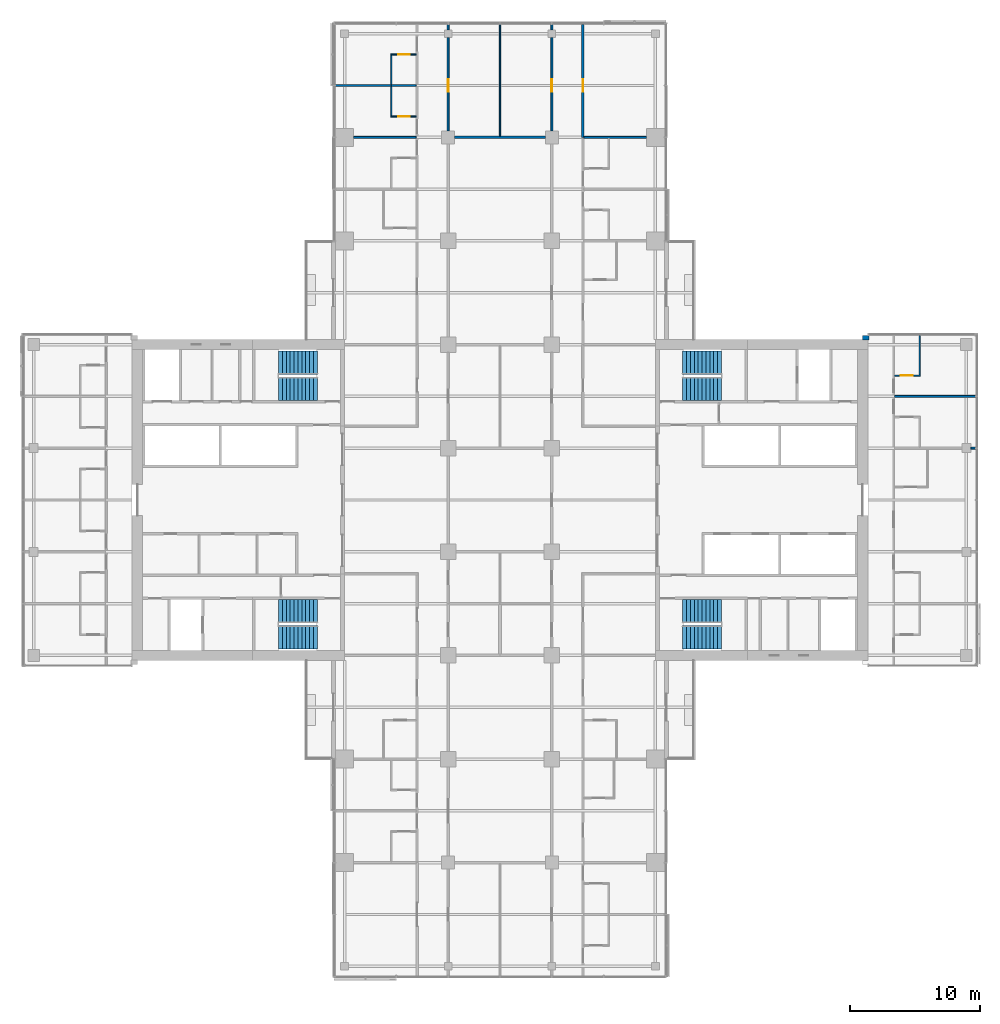
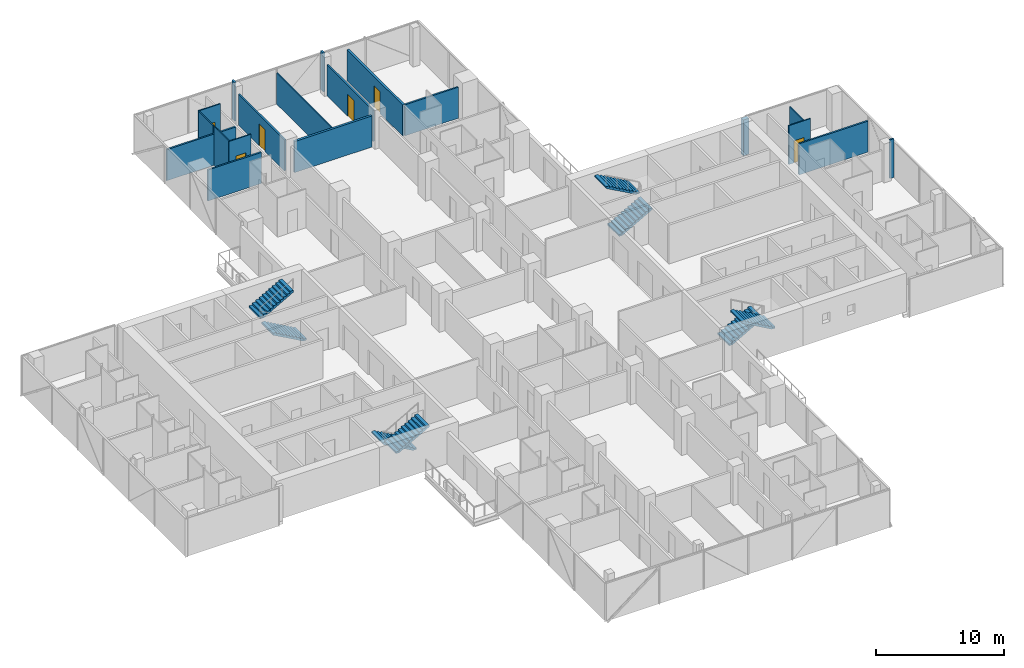
# One storey, part 22 of 27: 19 walls, 8 stair flights, 6 doors, 6 openings, 4 elements without a shape of their own.
"""IFC4 building model written with IfcOpenShell, lengths in metres."""

from ifc_helpers import new_model, si_unit, direction, frame, frame_2d, origin, place, context, subcontext, project, spatial, polyline, rectangle, outline, extrude, material, layer, layer_set, type_object, element, fill, aggregate, save


model = new_model("IFC4")

# Units and contexts
model_context = context("Model", 3, precision=1e-05, world=origin(), true_north=direction((0.0, 1.0)))
body_context = subcontext(model_context, "Body", "Model", "MODEL_VIEW")
ifc_project = project(units=[si_unit("LENGTHUNIT", "METRE"), si_unit("AREAUNIT", "SQUARE_METRE"), si_unit("VOLUMEUNIT", "CUBIC_METRE"), si_unit("PLANEANGLEUNIT", "RADIAN"), si_unit("MASSUNIT", "GRAM", prefix="KILO")], contexts=[model_context])

# Site, building, storey
site_placement = place(None, origin())
site = spatial("IfcSite", under=ifc_project, at=site_placement, CompositionType="ELEMENT")
building_placement = place(site_placement, origin())
building = spatial("IfcBuilding", under=site, at=building_placement, Name="Crosswind Convention Tower", CompositionType="ELEMENT")
storey_placement = place(building_placement, frame((0.0, 0.0, 64.60009765625)))
storey = spatial("IfcBuildingStorey", under=building, at=storey_placement, Name="L10", CompositionType="ELEMENT", Elevation=64.60009765625)

# Wall, opening, door
ifc_material_1 = material(Name="Plasterboard partition", Category="gypsum")
ifc_layer_1 = layer(ifc_material_1, 0.14990234375)
ifc_layer_set_1 = layer_set([ifc_layer_1], Name="CORRIDOR WALL 150")
wall_type_1 = type_object("IfcWallType", Name="CORRIDOR WALL 150", PredefinedType="PARTITIONING", material=ifc_layer_set_1)
wall_1_placement = place(storey_placement, frame((121.0, 128.5, 0.0), z_axis=(0.0, 0.0, 1.0), x_axis=(0.0, 1.0, 0.0)))
wall_1 = element("IfcWall", 1, at=wall_1_placement, inside=storey, type_object=wall_type_1, Name="Corridor Wall 97", PredefinedType="PARTITIONING", context=body_context, shape_type="SweptSolid", body=[
    extrude(rectangle(XDim=7.199951171875, YDim=0.14990234375, at=frame_2d((3.60009765625, 0.0))), origin(), (0.0, 0.0, 1.0), 2.959716796875),
])
opening_1_placement = place(wall_1_placement, frame((3.0, 0.0, 0.0)))
opening_1 = element("IfcOpeningElement", 2, at=opening_1_placement, cuts=wall_1, Name="Opening 10.068", PredefinedType="OPENING", context=body_context, shape_type="SweptSolid", body=[
    extrude(rectangle(XDim=1.0, YDim=2.10009765625, at=frame_2d((0.5, 1.050048828125))), frame((0.0, 0.0849609375, 0.0), z_axis=(0.0, -1.0, 0.0), x_axis=(1.0, 0.0, 0.0)), (0.0, 0.0, 1.0), 0.169921875),
])
ifc_material_2 = material(Name="Timber fire door", Category="wood")
door_type_1 = type_object("IfcDoorType", Name="SERVICE ROOM DOOR 1000X2100", OperationType="NOTDEFINED", PredefinedType="DOOR", material=ifc_material_2)
door_1_placement = place(opening_1_placement, frame((1.0, 0.0, 0.0), z_axis=(0.0, 0.0, 1.0), x_axis=(-1.0, 0.0, 0.0)))
door_1 = element("IfcDoor", 3, at=door_1_placement, inside=storey, type_object=door_type_1, Name="Door 10.068", ObjectType="D3", OperationType="SINGLE_SWING_RIGHT", OverallHeight=2.10009765625, OverallWidth=1.0, PredefinedType="DOOR", context=body_context, shape_type="SweptSolid", body=[
    extrude(rectangle(XDim=1.0, YDim=2.10009765625, at=frame_2d((0.5, 1.050048828125))), frame((0.0, 0.02490234375, 0.0), z_axis=(0.0, -1.0, 0.0), x_axis=(1.0, 0.0, 0.0)), (0.0, 0.0, 1.0), 0.050048828125),
])
fill(opening_1, door_1)

# Wall
wall_2_placement = place(storey_placement, frame((121.0, 136.300048828125, 0.0), z_axis=(0.0, 0.0, 1.0), x_axis=(0.0, 1.0, 0.0)))
element("IfcWall", 4, at=wall_2_placement, inside=storey, type_object=wall_type_1, Name="Corridor Wall 98", PredefinedType="PARTITIONING", context=body_context, shape_type="SweptSolid", body=[
    extrude(rectangle(XDim=0.39990234375, YDim=0.14990234375, at=frame_2d((0.199951171875, 0.0))), origin(), (0.0, 0.0, 1.0), 3.699951171875),
])

# Wall, opening, door
wall_3_placement = place(storey_placement, frame((129.0, 128.5, 0.0), z_axis=(0.0, 0.0, 1.0), x_axis=(0.0, 1.0, 0.0)))
wall_3 = element("IfcWall", 5, at=wall_3_placement, inside=storey, type_object=wall_type_1, Name="Corridor Wall 113", PredefinedType="PARTITIONING", context=body_context, shape_type="SweptSolid", body=[
    extrude(rectangle(XDim=7.199951171875, YDim=0.14990234375, at=frame_2d((3.60009765625, 0.0))), origin(), (0.0, 0.0, 1.0), 2.959716796875),
])
opening_2_placement = place(wall_3_placement, frame((3.0, 0.0, 0.0)))
opening_2 = element("IfcOpeningElement", 6, at=opening_2_placement, cuts=wall_3, Name="Opening 10.069", PredefinedType="OPENING", context=body_context, shape_type="SweptSolid", body=[
    extrude(rectangle(XDim=1.0, YDim=2.10009765625, at=frame_2d((0.5, 1.050048828125))), frame((0.0, 0.0849609375, 0.0), z_axis=(0.0, -1.0, 0.0), x_axis=(1.0, 0.0, 0.0)), (0.0, 0.0, 1.0), 0.169921875),
])
door_2_placement = place(opening_2_placement, origin())
door_2 = element("IfcDoor", 7, at=door_2_placement, inside=storey, type_object=door_type_1, Name="Door 10.069", ObjectType="D3", OperationType="SINGLE_SWING_LEFT", OverallHeight=2.10009765625, OverallWidth=1.0, PredefinedType="DOOR", context=body_context, shape_type="SweptSolid", body=[
    extrude(rectangle(XDim=1.0, YDim=2.10009765625, at=frame_2d((0.5, 1.050048828125))), frame((0.0, 0.02490234375, 0.0), z_axis=(0.0, -1.0, 0.0), x_axis=(1.0, 0.0, 0.0)), (0.0, 0.0, 1.0), 0.050048828125),
])
fill(opening_2, door_2)

# Walls
wall_4_placement = place(storey_placement, frame((129.0, 136.300048828125, 0.0), z_axis=(0.0, 0.0, 1.0), x_axis=(0.0, 1.0, 0.0)))
element("IfcWall", 8, at=wall_4_placement, inside=storey, type_object=wall_type_1, Name="Corridor Wall 114", PredefinedType="PARTITIONING", context=body_context, shape_type="SweptSolid", body=[
    extrude(rectangle(XDim=0.39990234375, YDim=0.14990234375, at=frame_2d((0.199951171875, 0.0))), origin(), (0.0, 0.0, 1.0), 3.699951171875),
])
ifc_material_3 = material(Name="Acoustic plasterboard partition", Category="gypsum")
ifc_layer_2 = layer(ifc_material_3, 0.14990234375)
ifc_layer_set_2 = layer_set([ifc_layer_2], Name="GUEST ROOM WALL 150")
wall_type_2 = type_object("IfcWallType", Name="GUEST ROOM WALL 150", PredefinedType="PARTITIONING", material=ifc_layer_set_2)
wall_5_placement = place(storey_placement, frame((161.35009765625, 104.0, 0.0), z_axis=(0.0, 0.0, 1.0), x_axis=(1.0, 0.0, 0.0)))
element("IfcWall", 9, at=wall_5_placement, inside=storey, type_object=wall_type_2, Name="Guest Room Wall 42", PredefinedType="PARTITIONING", context=body_context, shape_type="SweptSolid", body=[
    extrude(rectangle(XDim=0.349853515625, YDim=0.14990234375, at=frame_2d((0.1748046875, 0.0))), origin(), (0.0, 0.0, 1.0), 3.699951171875),
])
wall_6_placement = place(storey_placement, frame((155.47509765625, 108.0, 0.0), z_axis=(0.0, 0.0, 1.0), x_axis=(1.0, 0.0, 0.0)))
element("IfcWall", 10, at=wall_6_placement, inside=storey, type_object=wall_type_2, Name="Guest Room Wall 48", PredefinedType="PARTITIONING", context=body_context, shape_type="SweptSolid", body=[
    extrude(rectangle(XDim=6.224853515625, YDim=0.14990234375, at=frame_2d((3.1123046875, 0.0))), origin(), (0.0, 0.0, 1.0), 2.962646484375),
])
for number, where, z_axis, x_axis, name in (
    (11, (113.699951171875, 128.0, 0.0), (0.0, 0.0, 1.0), (1.0, 0.0, 0.0), "Guest Room Wall 62"),
    (12, (131.47509765625, 128.0, 0.0), (0.0, 0.0, 1.0), (1.0, 0.0, 0.0), "Guest Room Wall 64"),
):
    element("IfcWall", number, at=place(storey_placement, frame(where, z_axis=z_axis, x_axis=x_axis)), inside=storey, type_object=wall_type_2, Name=name, PredefinedType="PARTITIONING", context=body_context, shape_type="SweptSolid", body=[
        extrude(rectangle(XDim=4.824951171875, YDim=0.14990234375, at=frame_2d((2.41259765625, 0.0))), origin(), (0.0, 0.0, 1.0), 2.959716796875),
    ])
wall_7_placement = place(storey_placement, frame((112.300048828125, 132.0, 0.0), z_axis=(0.0, 0.0, 1.0), x_axis=(1.0, 0.0, 0.0)))
element("IfcWall", 13, at=wall_7_placement, inside=storey, type_object=wall_type_2, Name="Guest Room Wall 66", PredefinedType="PARTITIONING", context=body_context, shape_type="SweptSolid", body=[
    extrude(rectangle(XDim=6.224853515625, YDim=0.14990234375, at=frame_2d((3.1123046875, 0.0))), origin(), (0.0, 0.0, 1.0), 2.962646484375),
])
ifc_material_4 = material(Name="Double plasterboard partition", Category="gypsum")
ifc_layer_3 = layer(ifc_material_4, 0.199951171875)
ifc_layer_set_3 = layer_set([ifc_layer_3], Name="HALL WALL 200")
wall_type_3 = type_object("IfcWallType", Name="HALL WALL 200", PredefinedType="PARTITIONING", material=ifc_layer_set_3)
wall_8_placement = place(storey_placement, frame((121.5, 128.0, 0.0), z_axis=(0.0, 0.0, 1.0), x_axis=(1.0, 0.0, 0.0)))
element("IfcWall", 14, at=wall_8_placement, inside=storey, type_object=wall_type_3, Name="Hall Wall 63", PredefinedType="PARTITIONING", context=body_context, shape_type="SweptSolid", body=[
    extrude(rectangle(XDim=7.0, YDim=0.199951171875, at=frame_2d((3.5, 0.0))), origin(), (0.0, 0.0, 1.0), 2.959716796875),
])

# Wall, opening, door
wall_9_placement = place(storey_placement, frame((131.39990234375, 128.0, 0.0), z_axis=(0.0, 0.0, 1.0), x_axis=(0.0, 1.0, 0.0)))
wall_9 = element("IfcWall", 15, at=wall_9_placement, inside=storey, type_object=wall_type_3, Name="Hall Wall 119", PredefinedType="PARTITIONING", context=body_context, shape_type="SweptSolid", body=[
    extrude(rectangle(XDim=8.699951171875, YDim=0.199951171875, at=frame_2d((4.35009765625, 0.0))), origin(), (0.0, 0.0, 1.0), 2.959716796875),
])
opening_3_placement = place(wall_9_placement, frame((3.5, 0.0, 0.0)))
opening_3 = element("IfcOpeningElement", 16, at=opening_3_placement, cuts=wall_9, Name="Opening 10.011", PredefinedType="OPENING", context=body_context, shape_type="SweptSolid", body=[
    extrude(rectangle(XDim=1.0, YDim=2.10009765625, at=frame_2d((0.5, 1.050048828125))), frame((0.0, 0.10986328125, 0.0), z_axis=(0.0, -1.0, 0.0), x_axis=(1.0, 0.0, 0.0)), (0.0, 0.0, 1.0), 0.219970703125),
])
door_type_2 = type_object("IfcDoorType", Name="MEETING ROOM DOOR 1000X2100", OperationType="NOTDEFINED", PredefinedType="DOOR", material=ifc_material_2)
door_3_placement = place(opening_3_placement, origin())
door_3 = element("IfcDoor", 17, at=door_3_placement, inside=storey, type_object=door_type_2, Name="Door 10.011", ObjectType="D13", OperationType="SINGLE_SWING_RIGHT", OverallHeight=2.10009765625, OverallWidth=1.0, PredefinedType="DOOR", context=body_context, shape_type="SweptSolid", body=[
    extrude(rectangle(XDim=1.0, YDim=2.10009765625, at=frame_2d((0.5, 1.050048828125))), frame((0.0, 0.02490234375, 0.0), z_axis=(0.0, -1.0, 0.0), x_axis=(1.0, 0.0, 0.0)), (0.0, 0.0, 1.0), 0.050048828125),
])
fill(opening_3, door_3)

# Walls
ifc_layer_4 = layer(ifc_material_1, 0.10009765625)
ifc_layer_set_4 = layer_set([ifc_layer_4], Name="PARTITION 100")
wall_type_4 = type_object("IfcWallType", Name="PARTITION 100", PredefinedType="PARTITIONING", material=ifc_layer_set_4)
wall_10_placement = place(storey_placement, frame((125.0, 128.10009765625, 0.0), z_axis=(0.0, 0.0, 1.0), x_axis=(0.0, 1.0, 0.0)))
element("IfcWall", 18, at=wall_10_placement, inside=storey, type_object=wall_type_4, Name="Partition 103", PredefinedType="PARTITIONING", context=body_context, shape_type="SweptSolid", body=[
    extrude(rectangle(XDim=8.599853515625, YDim=0.10009765625, at=frame_2d((4.2998046875, 0.0))), origin(), (0.0, 0.0, 1.0), 2.962646484375),
])
ifc_material_5 = material(Name="Terracotta rainscreen", Category="ceramic")
ifc_layer_5 = layer(ifc_material_5, 0.02001953125)
ifc_material_6 = material(Name="Mineral wool insulation", Category="insulation")
ifc_layer_6 = layer(ifc_material_6, 0.10009765625)
ifc_material_7 = material(Name="Concrete blockwork", Category="masonry")
ifc_layer_7 = layer(ifc_material_7, 0.236083984375)
ifc_layer_set_5 = layer_set([ifc_layer_5, ifc_layer_6, ifc_layer_7], Name="TERRACOTTA CORNER INFILL WALL 356")
wall_type_5 = type_object("IfcWallType", Name="TERRACOTTA CORNER INFILL WALL 356", PredefinedType="SOLIDWALL", material=ifc_layer_set_5)
wall_11_placement = place(storey_placement, frame((153.0, 112.52197265625, 0.0), z_axis=(0.0, 0.0, 1.0), x_axis=(1.0, 0.0, 0.0)))
element("IfcWall", 19, at=wall_11_placement, inside=storey, type_object=wall_type_5, Name="Core corner infill wall L10 1", PredefinedType="SOLIDWALL", context=body_context, shape_type="SweptSolid", body=[
    extrude(rectangle(XDim=0.5048828125, YDim=0.35595703125, at=frame_2d((0.25244140625, 0.0))), origin(), (0.0, 0.0, 1.0), 3.419921875),
])

# Wall, opening, door
ifc_material_8 = material(Name="Water-resistant plasterboard partition", Category="gypsum")
ifc_layer_8 = layer(ifc_material_8, 0.10009765625)
ifc_layer_set_6 = layer_set([ifc_layer_8], Name="WET ROOM PARTITION 100")
wall_type_6 = type_object("IfcWallType", Name="WET ROOM PARTITION 100", PredefinedType="PLUMBINGWALL", material=ifc_layer_set_6)
wall_12_placement = place(storey_placement, frame((155.47509765625, 109.60009765625, 0.0), z_axis=(0.0, 0.0, 1.0), x_axis=(1.0, 0.0, 0.0)))
wall_12 = element("IfcWall", 20, at=wall_12_placement, inside=storey, type_object=wall_type_6, Name="Wet Room Partition 49", PredefinedType="PLUMBINGWALL", context=body_context, shape_type="SweptSolid", body=[
    extrude(rectangle(XDim=1.974853515625, YDim=0.10009765625, at=frame_2d((0.9873046875, 0.0))), origin(), (0.0, 0.0, 1.0), 3.699951171875),
])
opening_4_placement = place(wall_12_placement, frame((0.47509765625, 0.0, 0.0)))
opening_4 = element("IfcOpeningElement", 21, at=opening_4_placement, cuts=wall_12, Name="Opening 10.044", PredefinedType="OPENING", context=body_context, shape_type="SweptSolid", body=[
    extrude(rectangle(XDim=0.89990234375, YDim=2.10009765625, at=frame_2d((0.449951171875, 1.050048828125))), frame((0.0, 0.06005859375, 0.0), z_axis=(0.0, -1.0, 0.0), x_axis=(1.0, 0.0, 0.0)), (0.0, 0.0, 1.0), 0.1201171875),
])
ifc_material_9 = material(Name="Timber door", Category="wood")
door_type_3 = type_object("IfcDoorType", Name="EN-SUITE DOOR 900X2100", OperationType="NOTDEFINED", PredefinedType="DOOR", material=ifc_material_9)
door_4_placement = place(opening_4_placement, origin())
door_4 = element("IfcDoor", 22, at=door_4_placement, inside=storey, type_object=door_type_3, Name="Door 10.044", ObjectType="D2", OperationType="SINGLE_SWING_RIGHT", OverallHeight=2.10009765625, OverallWidth=0.89990234375, PredefinedType="DOOR", context=body_context, shape_type="SweptSolid", body=[
    extrude(rectangle(XDim=0.89990234375, YDim=2.10009765625, at=frame_2d((0.449951171875, 1.050048828125))), frame((0.0, 0.02490234375, 0.0), z_axis=(0.0, -1.0, 0.0), x_axis=(1.0, 0.0, 0.0)), (0.0, 0.0, 1.0), 0.050048828125),
])
fill(opening_4, door_4)

wall_13_placement = place(storey_placement, frame((116.550048828125, 129.60009765625, 0.0), z_axis=(0.0, 0.0, 1.0), x_axis=(1.0, 0.0, 0.0)))
wall_13 = element("IfcWall", 23, at=wall_13_placement, inside=storey, type_object=wall_type_6, Name="Wet Room Partition 65", PredefinedType="PLUMBINGWALL", context=body_context, shape_type="SweptSolid", body=[
    extrude(rectangle(XDim=1.974853515625, YDim=0.10009765625, at=frame_2d((0.9873046875, 0.0))), origin(), (0.0, 0.0, 1.0), 3.699951171875),
])
opening_5_placement = place(wall_13_placement, frame((0.60009765625, 0.0, 0.0)))
opening_5 = element("IfcOpeningElement", 24, at=opening_5_placement, cuts=wall_13, Name="Opening 10.017", PredefinedType="OPENING", context=body_context, shape_type="SweptSolid", body=[
    extrude(rectangle(XDim=0.89990234375, YDim=2.10009765625, at=frame_2d((0.449951171875, 1.050048828125))), frame((0.0, 0.06005859375, 0.0), z_axis=(0.0, -1.0, 0.0), x_axis=(1.0, 0.0, 0.0)), (0.0, 0.0, 1.0), 0.1201171875),
])
door_5_placement = place(opening_5_placement, origin())
door_5 = element("IfcDoor", 25, at=door_5_placement, inside=storey, type_object=door_type_3, Name="Door 10.017", ObjectType="D2", OperationType="SINGLE_SWING_RIGHT", OverallHeight=2.10009765625, OverallWidth=0.89990234375, PredefinedType="DOOR", context=body_context, shape_type="SweptSolid", body=[
    extrude(rectangle(XDim=0.89990234375, YDim=2.10009765625, at=frame_2d((0.449951171875, 1.050048828125))), frame((0.0, 0.02490234375, 0.0), z_axis=(0.0, -1.0, 0.0), x_axis=(1.0, 0.0, 0.0)), (0.0, 0.0, 1.0), 0.050048828125),
])
fill(opening_5, door_5)

wall_14_placement = place(storey_placement, frame((116.550048828125, 134.39990234375, 0.0), z_axis=(0.0, 0.0, 1.0), x_axis=(1.0, 0.0, 0.0)))
wall_14 = element("IfcWall", 26, at=wall_14_placement, inside=storey, type_object=wall_type_6, Name="Wet Room Partition 67", PredefinedType="PLUMBINGWALL", context=body_context, shape_type="SweptSolid", body=[
    extrude(rectangle(XDim=1.974853515625, YDim=0.10009765625, at=frame_2d((0.9873046875, 0.0))), origin(), (0.0, 0.0, 1.0), 3.699951171875),
])
opening_6_placement = place(wall_14_placement, frame((0.60009765625, 0.0, 0.0)))
opening_6 = element("IfcOpeningElement", 27, at=opening_6_placement, cuts=wall_14, Name="Opening 10.019", PredefinedType="OPENING", context=body_context, shape_type="SweptSolid", body=[
    extrude(rectangle(XDim=0.89990234375, YDim=2.10009765625, at=frame_2d((0.449951171875, 1.050048828125))), frame((0.0, 0.06005859375, 0.0), z_axis=(0.0, -1.0, 0.0), x_axis=(1.0, 0.0, 0.0)), (0.0, 0.0, 1.0), 0.1201171875),
])
door_6_placement = place(opening_6_placement, frame((0.89990234375, 0.0, 0.0), z_axis=(0.0, 0.0, 1.0), x_axis=(-1.0, 0.0, 0.0)))
door_6 = element("IfcDoor", 28, at=door_6_placement, inside=storey, type_object=door_type_3, Name="Door 10.019", ObjectType="D2", OperationType="SINGLE_SWING_LEFT", OverallHeight=2.10009765625, OverallWidth=0.89990234375, PredefinedType="DOOR", context=body_context, shape_type="SweptSolid", body=[
    extrude(rectangle(XDim=0.89990234375, YDim=2.10009765625, at=frame_2d((0.449951171875, 1.050048828125))), frame((0.0, 0.02490234375, 0.0), z_axis=(0.0, -1.0, 0.0), x_axis=(1.0, 0.0, 0.0)), (0.0, 0.0, 1.0), 0.050048828125),
])
fill(opening_6, door_6)

# Walls
for number, where, z_axis, x_axis, name in (
    (29, (116.60009765625, 129.64990234375, 0.0), (0.0, 0.0, 1.0), (0.0, 1.0, 0.0), "Wet Room Partition 80"),
    (30, (116.60009765625, 132.074951171875, 0.0), (0.0, 0.0, 1.0), (0.0, 1.0, 0.0), "Wet Room Partition 81"),
):
    element("IfcWall", number, at=place(storey_placement, frame(where, z_axis=z_axis, x_axis=x_axis)), inside=storey, type_object=wall_type_6, Name=name, PredefinedType="PLUMBINGWALL", context=body_context, shape_type="SweptSolid", body=[
        extrude(rectangle(XDim=2.275146484375, YDim=0.10009765625, at=frame_2d((1.1376953125, 0.0))), origin(), (0.0, 0.0, 1.0), 3.699951171875),
    ])
wall_15_placement = place(storey_placement, frame((157.39990234375, 109.64990234375, 0.0), z_axis=(0.0, 0.0, 1.0), x_axis=(0.0, 1.0, 0.0)))
element("IfcWall", 31, at=wall_15_placement, inside=storey, type_object=wall_type_6, Name="Wet Room Partition 131", PredefinedType="PLUMBINGWALL", context=body_context, shape_type="SweptSolid", body=[
    extrude(rectangle(XDim=3.050048828125, YDim=0.10009765625, at=frame_2d((1.52490234375, 0.0))), origin(), (0.0, 0.0, 1.0), 2.962646484375),
])

# Stair, stair flights
ifc_material_10 = material(Name="Concrete C40/50", Category="concrete")
stair_type = type_object("IfcStairType", Name="Exit stair 1800 wide, 2 flights of 11 risers", PredefinedType="HALF_TURN_STAIR", material=ifc_material_10)
stair_1_placement = place(storey_placement, origin())
stair_1 = element("IfcStair", 32, at=stair_1_placement, inside=storey, type_object=stair_type, Name="Exit stair ST1 L10", ObjectType="ST5", PredefinedType="HALF_TURN_STAIR")
stair_flight_type = type_object("IfcStairFlightType", Name="Stair flight 1800 wide, 11 risers (SF3)", PredefinedType="STRAIGHT", material=ifc_material_10)
stair_flight_1_placement = place(storey_placement, frame((139.10009765625, 108.60009765625, 0.0), z_axis=(0.0, 0.0, 1.0), x_axis=(1.0, 0.0, 0.0)))
stair_flight_1 = element("IfcStairFlight", 33, at=stair_flight_1_placement, type_object=stair_flight_type, Name="ST1 flight 1", NumberOfRisers=11, NumberOfTreads=10, PredefinedType="STRAIGHT", RiserHeight=0.168181818, TreadLength=0.3, context=body_context, shape_type="SweptSolid", body=[
    extrude(outline(polyline([(0.0, 0.0), (0.0, 0.168212890625), (0.300048828125, 0.168212890625), (0.300048828125, 0.33642578125), (0.60009765625, 0.33642578125), (0.60009765625, 0.504638671875), (0.89990234375, 0.504638671875), (0.89990234375, 0.672607421875), (1.199951171875, 0.672607421875), (1.199951171875, 0.8408203125), (1.5, 0.8408203125), (1.5, 1.009033203125), (1.800048828125, 1.009033203125), (1.800048828125, 1.17724609375), (2.10009765625, 1.17724609375), (2.10009765625, 1.345458984375), (2.39990234375, 1.345458984375), (2.39990234375, 1.513671875), (2.699951171875, 1.513671875), (2.699951171875, 1.681884765625), (3.0, 1.681884765625), (3.0, 1.85009765625), (3.0, 1.510009765625), (0.306640625, 0.0), (0.0, 0.0)])), frame((0.0, 0.89990234375, 0.0), z_axis=(0.0, -1.0, 0.0), x_axis=(1.0, 0.0, 0.0)), (0.0, 0.0, 1.0), 1.800048828125),
])
stair_flight_2_placement = place(storey_placement, frame((142.10009765625, 110.60009765625, 1.849853515625), z_axis=(0.0, 0.0, 1.0), x_axis=(-1.0, 0.0, 0.0)))
stair_flight_2 = element("IfcStairFlight", 34, at=stair_flight_2_placement, type_object=stair_flight_type, Name="ST1 flight 2", NumberOfRisers=11, NumberOfTreads=10, PredefinedType="STRAIGHT", RiserHeight=0.168181818, TreadLength=0.3, context=body_context, shape_type="SweptSolid", body=[
    extrude(outline(polyline([(0.0, 0.0), (0.0, 0.168212890625), (0.300048828125, 0.168212890625), (0.300048828125, 0.33642578125), (0.60009765625, 0.33642578125), (0.60009765625, 0.504638671875), (0.89990234375, 0.504638671875), (0.89990234375, 0.672607421875), (1.199951171875, 0.672607421875), (1.199951171875, 0.8408203125), (1.5, 0.8408203125), (1.5, 1.009033203125), (1.800048828125, 1.009033203125), (1.800048828125, 1.17724609375), (2.10009765625, 1.17724609375), (2.10009765625, 1.345458984375), (2.39990234375, 1.345458984375), (2.39990234375, 1.513671875), (2.699951171875, 1.513671875), (2.699951171875, 1.681884765625), (3.0, 1.681884765625), (3.0, 1.85009765625), (3.0, 1.510009765625), (0.306640625, 0.0), (0.0, 0.0)])), frame((0.0, 0.89990234375, 0.0), z_axis=(0.0, -1.0, 0.0), x_axis=(1.0, 0.0, 0.0)), (0.0, 0.0, 1.0), 1.800048828125),
])
aggregate(stair_1, [stair_flight_1, stair_flight_2])

stair_2_placement = place(storey_placement, origin())
stair_2 = element("IfcStair", 35, at=stair_2_placement, inside=storey, type_object=stair_type, Name="Exit stair ST2 L10", ObjectType="ST5", PredefinedType="HALF_TURN_STAIR")
stair_flight_3_placement = place(storey_placement, frame((139.10009765625, 91.39990234375, 0.0), z_axis=(0.0, 0.0, 1.0), x_axis=(1.0, 0.0, 0.0)))
stair_flight_3 = element("IfcStairFlight", 36, at=stair_flight_3_placement, type_object=stair_flight_type, Name="ST2 flight 1", NumberOfRisers=11, NumberOfTreads=10, PredefinedType="STRAIGHT", RiserHeight=0.168181818, TreadLength=0.3, context=body_context, shape_type="SweptSolid", body=[
    extrude(outline(polyline([(0.0, 0.0), (0.0, 0.168212890625), (0.300048828125, 0.168212890625), (0.300048828125, 0.33642578125), (0.60009765625, 0.33642578125), (0.60009765625, 0.504638671875), (0.89990234375, 0.504638671875), (0.89990234375, 0.672607421875), (1.199951171875, 0.672607421875), (1.199951171875, 0.8408203125), (1.5, 0.8408203125), (1.5, 1.009033203125), (1.800048828125, 1.009033203125), (1.800048828125, 1.17724609375), (2.10009765625, 1.17724609375), (2.10009765625, 1.345458984375), (2.39990234375, 1.345458984375), (2.39990234375, 1.513671875), (2.699951171875, 1.513671875), (2.699951171875, 1.681884765625), (3.0, 1.681884765625), (3.0, 1.85009765625), (3.0, 1.510009765625), (0.306640625, 0.0), (0.0, 0.0)])), frame((0.0, 0.89990234375, 0.0), z_axis=(0.0, -1.0, 0.0), x_axis=(1.0, 0.0, 0.0)), (0.0, 0.0, 1.0), 1.800048828125),
])
stair_flight_4_placement = place(storey_placement, frame((142.10009765625, 89.39990234375, 1.849853515625), z_axis=(0.0, 0.0, 1.0), x_axis=(-1.0, 0.0, 0.0)))
stair_flight_4 = element("IfcStairFlight", 37, at=stair_flight_4_placement, type_object=stair_flight_type, Name="ST2 flight 2", NumberOfRisers=11, NumberOfTreads=10, PredefinedType="STRAIGHT", RiserHeight=0.168181818, TreadLength=0.3, context=body_context, shape_type="SweptSolid", body=[
    extrude(outline(polyline([(0.0, 0.0), (0.0, 0.168212890625), (0.300048828125, 0.168212890625), (0.300048828125, 0.33642578125), (0.60009765625, 0.33642578125), (0.60009765625, 0.504638671875), (0.89990234375, 0.504638671875), (0.89990234375, 0.672607421875), (1.199951171875, 0.672607421875), (1.199951171875, 0.8408203125), (1.5, 0.8408203125), (1.5, 1.009033203125), (1.800048828125, 1.009033203125), (1.800048828125, 1.17724609375), (2.10009765625, 1.17724609375), (2.10009765625, 1.345458984375), (2.39990234375, 1.345458984375), (2.39990234375, 1.513671875), (2.699951171875, 1.513671875), (2.699951171875, 1.681884765625), (3.0, 1.681884765625), (3.0, 1.85009765625), (3.0, 1.510009765625), (0.306640625, 0.0), (0.0, 0.0)])), frame((0.0, 0.89990234375, 0.0), z_axis=(0.0, -1.0, 0.0), x_axis=(1.0, 0.0, 0.0)), (0.0, 0.0, 1.0), 1.800048828125),
])
aggregate(stair_2, [stair_flight_3, stair_flight_4])

stair_3_placement = place(storey_placement, origin())
stair_3 = element("IfcStair", 38, at=stair_3_placement, inside=storey, type_object=stair_type, Name="Exit stair ST3 L10", ObjectType="ST5", PredefinedType="HALF_TURN_STAIR")
stair_flight_5_placement = place(storey_placement, frame((110.89990234375, 91.39990234375, 0.0), z_axis=(0.0, 0.0, 1.0), x_axis=(-1.0, 0.0, 0.0)))
stair_flight_5 = element("IfcStairFlight", 39, at=stair_flight_5_placement, type_object=stair_flight_type, Name="ST3 flight 1", NumberOfRisers=11, NumberOfTreads=10, PredefinedType="STRAIGHT", RiserHeight=0.168181818, TreadLength=0.3, context=body_context, shape_type="SweptSolid", body=[
    extrude(outline(polyline([(0.0, 0.0), (0.0, 0.168212890625), (0.300048828125, 0.168212890625), (0.300048828125, 0.33642578125), (0.60009765625, 0.33642578125), (0.60009765625, 0.504638671875), (0.89990234375, 0.504638671875), (0.89990234375, 0.672607421875), (1.199951171875, 0.672607421875), (1.199951171875, 0.8408203125), (1.5, 0.8408203125), (1.5, 1.009033203125), (1.800048828125, 1.009033203125), (1.800048828125, 1.17724609375), (2.10009765625, 1.17724609375), (2.10009765625, 1.345458984375), (2.39990234375, 1.345458984375), (2.39990234375, 1.513671875), (2.699951171875, 1.513671875), (2.699951171875, 1.681884765625), (3.0, 1.681884765625), (3.0, 1.85009765625), (3.0, 1.510009765625), (0.306640625, 0.0), (0.0, 0.0)])), frame((0.0, 0.89990234375, 0.0), z_axis=(0.0, -1.0, 0.0), x_axis=(1.0, 0.0, 0.0)), (0.0, 0.0, 1.0), 1.800048828125),
])
stair_flight_6_placement = place(storey_placement, frame((107.89990234375, 89.39990234375, 1.849853515625), z_axis=(0.0, 0.0, 1.0), x_axis=(1.0, 0.0, 0.0)))
stair_flight_6 = element("IfcStairFlight", 40, at=stair_flight_6_placement, type_object=stair_flight_type, Name="ST3 flight 2", NumberOfRisers=11, NumberOfTreads=10, PredefinedType="STRAIGHT", RiserHeight=0.168181818, TreadLength=0.3, context=body_context, shape_type="SweptSolid", body=[
    extrude(outline(polyline([(0.0, 0.0), (0.0, 0.168212890625), (0.300048828125, 0.168212890625), (0.300048828125, 0.33642578125), (0.60009765625, 0.33642578125), (0.60009765625, 0.504638671875), (0.89990234375, 0.504638671875), (0.89990234375, 0.672607421875), (1.199951171875, 0.672607421875), (1.199951171875, 0.8408203125), (1.5, 0.8408203125), (1.5, 1.009033203125), (1.800048828125, 1.009033203125), (1.800048828125, 1.17724609375), (2.10009765625, 1.17724609375), (2.10009765625, 1.345458984375), (2.39990234375, 1.345458984375), (2.39990234375, 1.513671875), (2.699951171875, 1.513671875), (2.699951171875, 1.681884765625), (3.0, 1.681884765625), (3.0, 1.85009765625), (3.0, 1.510009765625), (0.306640625, 0.0), (0.0, 0.0)])), frame((0.0, 0.89990234375, 0.0), z_axis=(0.0, -1.0, 0.0), x_axis=(1.0, 0.0, 0.0)), (0.0, 0.0, 1.0), 1.800048828125),
])
aggregate(stair_3, [stair_flight_5, stair_flight_6])

stair_4_placement = place(storey_placement, origin())
stair_4 = element("IfcStair", 41, at=stair_4_placement, inside=storey, type_object=stair_type, Name="Exit stair ST4 L10", ObjectType="ST5", PredefinedType="HALF_TURN_STAIR")
stair_flight_7_placement = place(storey_placement, frame((110.89990234375, 108.60009765625, 0.0), z_axis=(0.0, 0.0, 1.0), x_axis=(-1.0, 0.0, 0.0)))
stair_flight_7 = element("IfcStairFlight", 42, at=stair_flight_7_placement, type_object=stair_flight_type, Name="ST4 flight 1", NumberOfRisers=11, NumberOfTreads=10, PredefinedType="STRAIGHT", RiserHeight=0.168181818, TreadLength=0.3, context=body_context, shape_type="SweptSolid", body=[
    extrude(outline(polyline([(0.0, 0.0), (0.0, 0.168212890625), (0.300048828125, 0.168212890625), (0.300048828125, 0.33642578125), (0.60009765625, 0.33642578125), (0.60009765625, 0.504638671875), (0.89990234375, 0.504638671875), (0.89990234375, 0.672607421875), (1.199951171875, 0.672607421875), (1.199951171875, 0.8408203125), (1.5, 0.8408203125), (1.5, 1.009033203125), (1.800048828125, 1.009033203125), (1.800048828125, 1.17724609375), (2.10009765625, 1.17724609375), (2.10009765625, 1.345458984375), (2.39990234375, 1.345458984375), (2.39990234375, 1.513671875), (2.699951171875, 1.513671875), (2.699951171875, 1.681884765625), (3.0, 1.681884765625), (3.0, 1.85009765625), (3.0, 1.510009765625), (0.306640625, 0.0), (0.0, 0.0)])), frame((0.0, 0.89990234375, 0.0), z_axis=(0.0, -1.0, 0.0), x_axis=(1.0, 0.0, 0.0)), (0.0, 0.0, 1.0), 1.800048828125),
])
stair_flight_8_placement = place(storey_placement, frame((107.89990234375, 110.60009765625, 1.849853515625), z_axis=(0.0, 0.0, 1.0), x_axis=(1.0, 0.0, 0.0)))
stair_flight_8 = element("IfcStairFlight", 43, at=stair_flight_8_placement, type_object=stair_flight_type, Name="ST4 flight 2", NumberOfRisers=11, NumberOfTreads=10, PredefinedType="STRAIGHT", RiserHeight=0.168181818, TreadLength=0.3, context=body_context, shape_type="SweptSolid", body=[
    extrude(outline(polyline([(0.0, 0.0), (0.0, 0.168212890625), (0.300048828125, 0.168212890625), (0.300048828125, 0.33642578125), (0.60009765625, 0.33642578125), (0.60009765625, 0.504638671875), (0.89990234375, 0.504638671875), (0.89990234375, 0.672607421875), (1.199951171875, 0.672607421875), (1.199951171875, 0.8408203125), (1.5, 0.8408203125), (1.5, 1.009033203125), (1.800048828125, 1.009033203125), (1.800048828125, 1.17724609375), (2.10009765625, 1.17724609375), (2.10009765625, 1.345458984375), (2.39990234375, 1.345458984375), (2.39990234375, 1.513671875), (2.699951171875, 1.513671875), (2.699951171875, 1.681884765625), (3.0, 1.681884765625), (3.0, 1.85009765625), (3.0, 1.510009765625), (0.306640625, 0.0), (0.0, 0.0)])), frame((0.0, 0.89990234375, 0.0), z_axis=(0.0, -1.0, 0.0), x_axis=(1.0, 0.0, 0.0)), (0.0, 0.0, 1.0), 1.800048828125),
])
aggregate(stair_4, [stair_flight_7, stair_flight_8])

save(model, "model.ifc")
